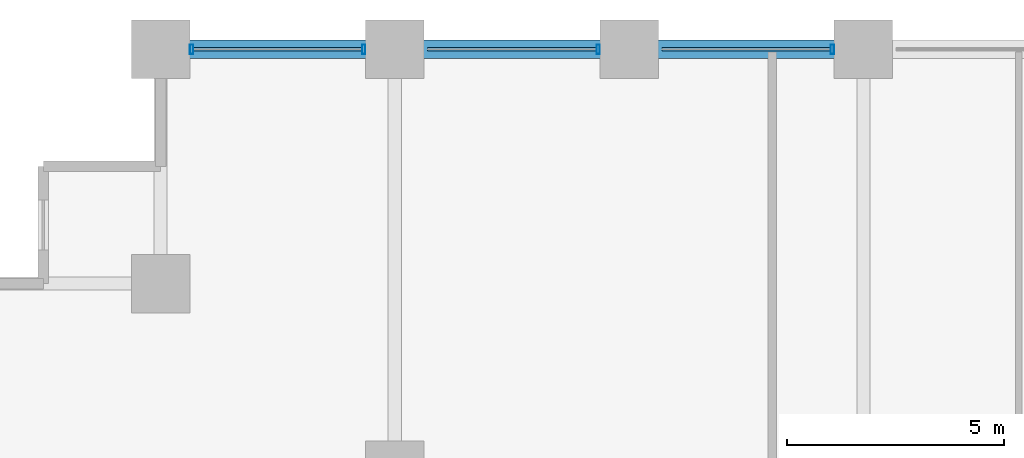
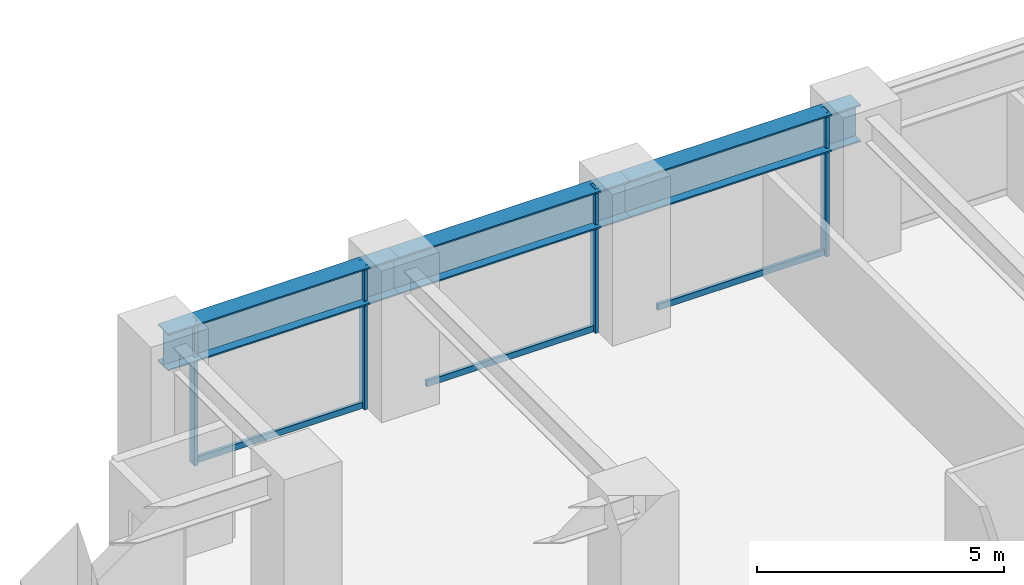
# One storey, part 12 of 25: 7 members, 3 beams, 1 element without a shape of its own.
"""IFC4 building model written with IfcOpenShell, lengths in metres."""

from ifc_helpers import new_model, si_unit, direction, frame, origin, origin_2d, place, context, subcontext, project, spatial, hollow_rectangle, i_section, extrude, material, layer, layer_set, material_profile, profile_set, type_object, element, aggregate, save


model = new_model("IFC4")

# Units and contexts
model_context = context("Model", 3, precision=1e-05, world=origin(), true_north=direction((0.0, 1.0)))
body_context = subcontext(model_context, "Body", "Model", "MODEL_VIEW")
ifc_project = project(units=[si_unit("LENGTHUNIT", "METRE"), si_unit("AREAUNIT", "SQUARE_METRE"), si_unit("VOLUMEUNIT", "CUBIC_METRE"), si_unit("PLANEANGLEUNIT", "RADIAN"), si_unit("MASSUNIT", "GRAM", prefix="KILO")], contexts=[model_context])

# Site, building, storey
site_placement = place(None, origin())
site = spatial("IfcSite", under=ifc_project, at=site_placement, CompositionType="ELEMENT")
building_placement = place(site_placement, origin())
building = spatial("IfcBuilding", under=site, at=building_placement, Name="Surkhivell Harbour Commons", CompositionType="ELEMENT")
storey_placement = place(building_placement, frame((0.0, 0.0, 52.5)))
storey = spatial("IfcBuildingStorey", under=building, at=storey_placement, Name="L13", CompositionType="ELEMENT", Elevation=52.5)

# Beams
ifc_material_1 = material(Name="Steel S460", Category="steel")
ifc_material_profile_1 = material_profile(ifc_material_1, i_section(OverallWidth=0.419921875, OverallDepth=0.9208984375, WebThickness=0.021484375, FlangeThickness=0.03662109375, at=origin_2d()), Name="UB914x419x388")
ifc_profile_set_1 = profile_set([ifc_material_profile_1], Name="Steel S460")
beam_type = type_object("IfcBeamType", Name="BM-SPN-914A", PredefinedType="SPANDREL", material=ifc_profile_set_1)
beam_1_placement = place(storey_placement, frame((-27.0, 25.89990234375, 3.109619140625), z_axis=(1.0, 0.0, 0.0), x_axis=(0.0, 1.0, 0.0)))
element("IfcBeam", 1, at=beam_1_placement, inside=storey, type_object=beam_type, Name="L13 Tube Spandrel (-27.0,25.9)", PredefinedType="SPANDREL", context=body_context, shape_type="SweptSolid", body=[
    extrude(i_section(OverallWidth=0.419921875, OverallDepth=0.9208984375, WebThickness=0.021484375, FlangeThickness=0.03662109375, at=origin_2d()), origin(), (0.0, 0.0, 1.0), 5.39990234375),
])
beam_2_placement = place(storey_placement, frame((-21.60009765625, 25.89990234375, 3.109619140625), z_axis=(1.0, 0.0, 0.0), x_axis=(0.0, 1.0, 0.0)))
element("IfcBeam", 2, at=beam_2_placement, inside=storey, type_object=beam_type, Name="L13 Tube Spandrel (-21.6,25.9)", PredefinedType="SPANDREL", context=body_context, shape_type="SweptSolid", body=[
    extrude(i_section(OverallWidth=0.419921875, OverallDepth=0.9208984375, WebThickness=0.021484375, FlangeThickness=0.03662109375, at=origin_2d()), origin(), (0.0, 0.0, 1.0), 5.400146484375),
])
beam_3_placement = place(storey_placement, frame((-16.199951171875, 25.89990234375, 3.109619140625), z_axis=(1.0, 0.0, 0.0), x_axis=(0.0, 1.0, 0.0)))
element("IfcBeam", 3, at=beam_3_placement, inside=storey, type_object=beam_type, Name="L13 Tube Spandrel (-16.2,25.9)", PredefinedType="SPANDREL", context=body_context, shape_type="SweptSolid", body=[
    extrude(i_section(OverallWidth=0.419921875, OverallDepth=0.9208984375, WebThickness=0.021484375, FlangeThickness=0.03662109375, at=origin_2d()), origin(), (0.0, 0.0, 1.0), 5.39990234375),
])

# Curtain wall, members
ifc_material_2 = material(Name="Anodised pale-metal aluminium and insulated glazing", Category="aluminium")
ifc_layer = layer(ifc_material_2, 0.219970703125)
ifc_layer_set = layer_set([ifc_layer], Name="Anodised pale-metal aluminium and insulated glazing")
curtain_wall_type = type_object("IfcCurtainWallType", Name="CW-SYS-Z1", PredefinedType="NOTDEFINED", material=ifc_layer_set)
curtain_wall_placement = place(storey_placement, origin())
curtain_wall = element("IfcCurtainWall", 4, at=curtain_wall_placement, inside=storey, type_object=curtain_wall_type, Name="L13 Curtain Wall CW-L13-E07S2", PredefinedType="NOTDEFINED")
ifc_material_3 = material(Name="Anodised pale-metal aluminium alloy 6063-T6", Category="aluminium")
ifc_material_profile_2 = material_profile(ifc_material_3, hollow_rectangle(XDim=0.074951171875, YDim=0.219970703125, WallThickness=0.00390625, at=origin_2d()), Name="ALU-MULL-75x220")
ifc_profile_set_2 = profile_set([ifc_material_profile_2], Name="Anodised pale-metal aluminium alloy 6063-T6")
member_type_1 = type_object("IfcMemberType", Name="CWM-220", PredefinedType="MULLION", material=ifc_profile_set_2)
member_1_placement = place(storey_placement, frame((-11.514404296875, 25.89990234375, 0.0), z_axis=(0.0, 0.0, 1.0), x_axis=(-1.0, 0.0, 0.0)))
member_1 = element("IfcMember", 5, at=member_1_placement, type_object=member_type_1, Name="CW-Z1 mullion 2", PredefinedType="MULLION", context=body_context, shape_type="SweptSolid", body=[
    extrude(hollow_rectangle(XDim=0.074951171875, YDim=0.219970703125, WallThickness=0.00390625, at=origin_2d()), origin(), (0.0, 0.0, 1.0), 3.570068359375),
])
member_2_placement = place(storey_placement, frame((-16.91455078125, 25.89990234375, 0.0), z_axis=(0.0, 0.0, 1.0), x_axis=(-1.0, 0.0, 0.0)))
member_2 = element("IfcMember", 6, at=member_2_placement, type_object=member_type_1, Name="CW-Z1 mullion 3", PredefinedType="MULLION", context=body_context, shape_type="SweptSolid", body=[
    extrude(hollow_rectangle(XDim=0.074951171875, YDim=0.219970703125, WallThickness=0.00390625, at=origin_2d()), origin(), (0.0, 0.0, 1.0), 3.570068359375),
])
member_3_placement = place(storey_placement, frame((-22.314453125, 25.89990234375, 0.0), z_axis=(0.0, 0.0, 1.0), x_axis=(-1.0, 0.0, 0.0)))
member_3 = element("IfcMember", 7, at=member_3_placement, type_object=member_type_1, Name="CW-Z1 mullion 4", PredefinedType="MULLION", context=body_context, shape_type="SweptSolid", body=[
    extrude(hollow_rectangle(XDim=0.074951171875, YDim=0.219970703125, WallThickness=0.00390625, at=origin_2d()), origin(), (0.0, 0.0, 1.0), 3.570068359375),
])
member_4_placement = place(storey_placement, frame((-26.285400390625, 25.89990234375, 0.0), z_axis=(0.0, 0.0, 1.0), x_axis=(-1.0, 0.0, 0.0)))
member_4 = element("IfcMember", 8, at=member_4_placement, type_object=member_type_1, Name="CW-Z1 mullion 5", PredefinedType="MULLION", context=body_context, shape_type="SweptSolid", body=[
    extrude(hollow_rectangle(XDim=0.074951171875, YDim=0.219970703125, WallThickness=0.00390625, at=origin_2d()), origin(), (0.0, 0.0, 1.0), 3.570068359375),
])
ifc_material_profile_3 = material_profile(ifc_material_3, hollow_rectangle(XDim=0.074951171875, YDim=0.14990234375, WallThickness=0.00341796875, at=origin_2d()), Name="ALU-TRAN-75x150")
ifc_profile_set_3 = profile_set([ifc_material_profile_3], Name="Anodised pale-metal aluminium alloy 6063-T6")
member_type_2 = type_object("IfcMemberType", Name="CWT-150", PredefinedType="USERDEFINED", material=ifc_profile_set_3)
member_5_placement = place(storey_placement, frame((-11.552001953125, 25.89990234375, 0.074951171875), z_axis=(-1.0, 0.0, 0.0), x_axis=(0.0, -1.0, 0.0)))
member_5 = element("IfcMember", 9, at=member_5_placement, type_object=member_type_2, Name="CW-Z1 transom 2.1", ObjectType="TRANSOM", PredefinedType="USERDEFINED", context=body_context, shape_type="SweptSolid", body=[
    extrude(hollow_rectangle(XDim=0.074951171875, YDim=0.14990234375, WallThickness=0.00341796875, at=origin_2d()), origin(), (0.0, 0.0, 1.0), 3.89599609375),
])
member_6_placement = place(storey_placement, frame((-16.951904296875, 25.89990234375, 0.074951171875), z_axis=(-1.0, 0.0, 0.0), x_axis=(0.0, -1.0, 0.0)))
member_6 = element("IfcMember", 10, at=member_6_placement, type_object=member_type_2, Name="CW-Z1 transom 3.1", ObjectType="TRANSOM", PredefinedType="USERDEFINED", context=body_context, shape_type="SweptSolid", body=[
    extrude(hollow_rectangle(XDim=0.074951171875, YDim=0.14990234375, WallThickness=0.00341796875, at=origin_2d()), origin(), (0.0, 0.0, 1.0), 3.89599609375),
])
member_7_placement = place(storey_placement, frame((-22.35205078125, 25.89990234375, 0.074951171875), z_axis=(-1.0, 0.0, 0.0), x_axis=(0.0, -1.0, 0.0)))
member_7 = element("IfcMember", 11, at=member_7_placement, type_object=member_type_2, Name="CW-Z1 transom 4.1", ObjectType="TRANSOM", PredefinedType="USERDEFINED", context=body_context, shape_type="SweptSolid", body=[
    extrude(hollow_rectangle(XDim=0.074951171875, YDim=0.14990234375, WallThickness=0.00341796875, at=origin_2d()), origin(), (0.0, 0.0, 1.0), 3.89599609375),
])
aggregate(curtain_wall, [member_1, member_5, member_2, member_6, member_3, member_4, member_7])

save(model, "model.ifc")
